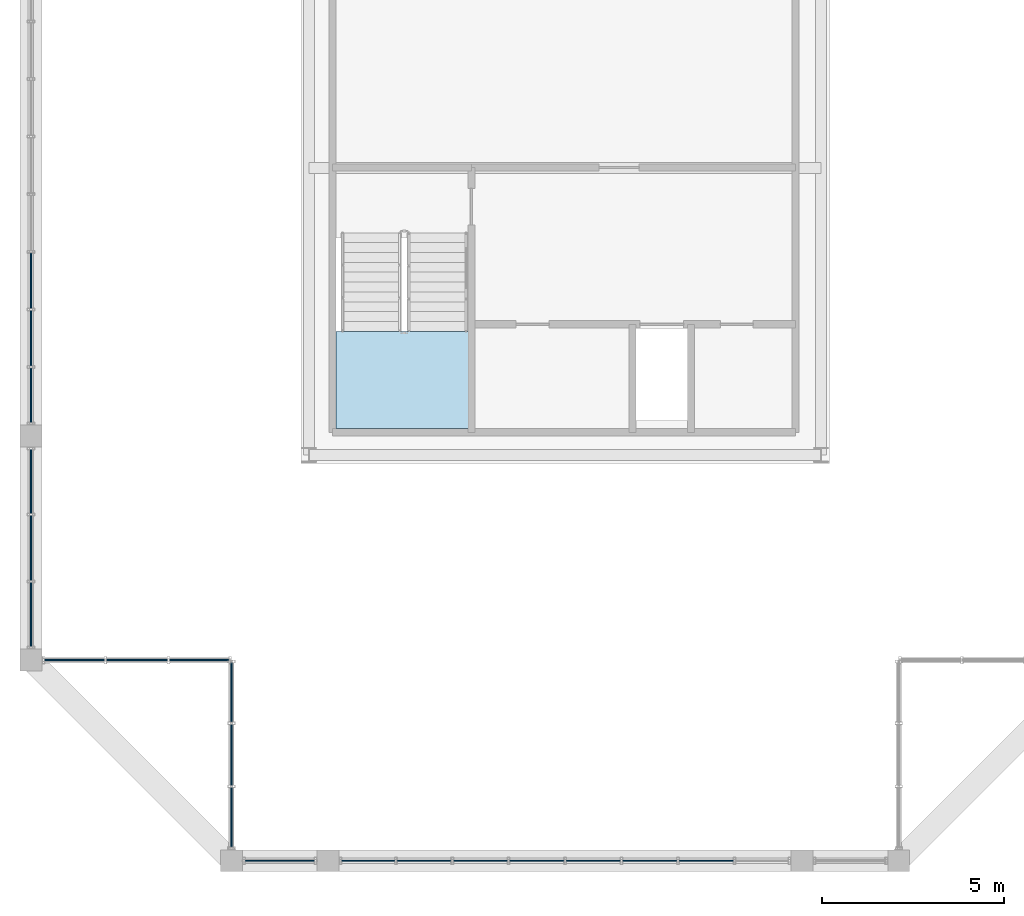
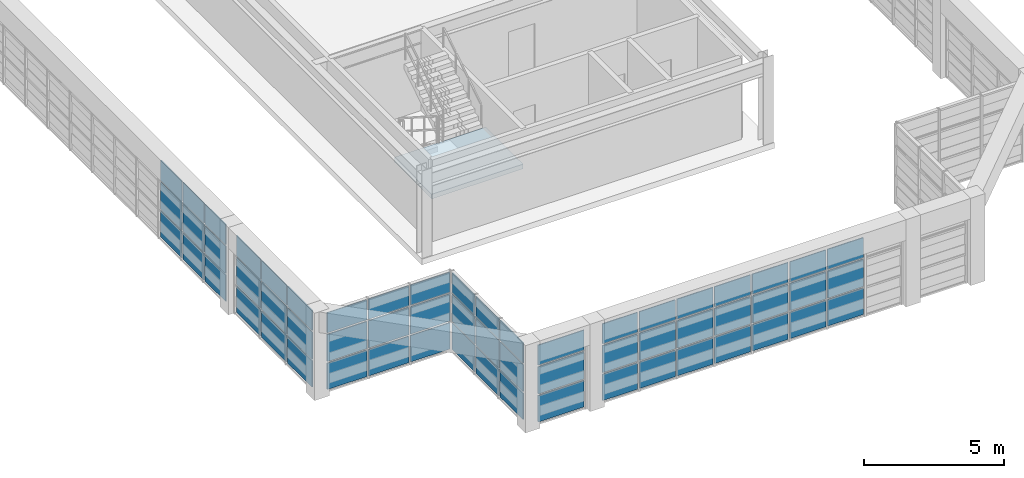
# One storey, part 20 of 27: 60 plates, 1 slab, 7 elements without a shape of their own.
"""IFC4 building model written with IfcOpenShell, lengths in metres."""

import ifcopenshell
import ifcopenshell.guid

model = None  # the IFC model being written
_history = None  # IfcOwnerHistory: only IFC2X3 demands one
_inside = {}  # id of a spatial element -> (the spatial element, [elements in it])
_under = {}  # id of a project, library or spatial element -> (it, [spatial elements below it])
_declared = {}  # id of a project -> (the project, [libraries it declares])
_typed = {}  # id of a type object -> (the type object, [elements of that type])
_made_of = {}  # id of a material, layer set ... -> (it, [elements and type objects made of it])


def new_model(schema):
    """Start an empty IFC model of exactly this schema.

    Asked for "IFC4X3", IfcOpenShell would pick the latest addendum, in which some entities
    have other attributes; the version numbers below select the first issue.
    IFC2X3 requires an IfcOwnerHistory on every rooted entity: one is made here for all.
    """
    global model, _history
    if schema == "IFC4X3":
        model = ifcopenshell.file(schema_version=(4, 3, 0, 0))
    else:
        model = ifcopenshell.file(schema=schema)
    _inside.clear()
    _under.clear()
    _declared.clear()
    _typed.clear()
    _made_of.clear()
    _history = None
    if model.schema == "IFC2X3":
        org = make("IfcOrganization", Name="unknown")
        user = make(
            "IfcPersonAndOrganization",
            ThePerson=make("IfcPerson", FamilyName="unknown"),
            TheOrganization=org,
        )
        app = make(
            "IfcApplication",
            ApplicationDeveloper=org,
            Version="unknown",
            ApplicationFullName="unknown",
            ApplicationIdentifier="unknown",
        )
        _history = make(
            "IfcOwnerHistory",
            OwningUser=user,
            OwningApplication=app,
            ChangeAction="ADDED",
            CreationDate=0,
        )
    return model


def make(cls, **values):
    """One entity of the class cls with the attributes given. An attribute that is None is left unset."""
    return model.create_entity(
        cls, **{name: value for name, value in values.items() if value is not None}
    )


def rooted(cls, **values):
    """An entity with a GlobalId (a new one), such as an element, a storey or a relation."""
    return make(cls, GlobalId=ifcopenshell.guid.new(), OwnerHistory=_history, **values)


def si_unit(unit_type, name, prefix=None):
    """IfcSIUnit, for example si_unit("LENGTHUNIT", "METRE", prefix="MILLI")."""
    return make("IfcSIUnit", UnitType=unit_type, Prefix=prefix, Name=name)


def assignment(units):
    """IfcUnitAssignment: the units of a project."""
    return None if units is None else make("IfcUnitAssignment", Units=units)


def point(xyz):
    """IfcCartesianPoint."""
    return None if xyz is None else make("IfcCartesianPoint", Coordinates=xyz)


def direction(xyz):
    """IfcDirection."""
    return None if xyz is None else make("IfcDirection", DirectionRatios=xyz)


def frame(location, z_axis=None, x_axis=None):
    """IfcAxis2Placement3D, a coordinate frame: its origin and axes. An axis left out is left unset."""
    return make(
        "IfcAxis2Placement3D",
        Location=point(location),
        Axis=direction(z_axis),
        RefDirection=direction(x_axis),
    )


def frame_2d(location, x_axis=None):
    """IfcAxis2Placement2D, a coordinate frame in the plane: its origin and x axis."""
    return make(
        "IfcAxis2Placement2D", Location=point(location), RefDirection=direction(x_axis)
    )


def origin():
    """The frame at (0, 0, 0) with its axes left unset."""
    return frame((0.0, 0.0, 0.0))


def origin_2d():
    """The frame at (0, 0) in the plane with its x axis left unset."""
    return frame_2d((0.0, 0.0))


def place(relative_to, where):
    """IfcLocalPlacement: puts the frame where relative to a parent placement (None: the world)."""
    return make(
        "IfcLocalPlacement", PlacementRelTo=relative_to, RelativePlacement=where
    )


def context(
    kind, dimensions, precision=None, world=None, true_north=None, identifier=None
):
    """IfcGeometricRepresentationContext, for example the 3D "Model" context."""
    return make(
        "IfcGeometricRepresentationContext",
        ContextIdentifier=identifier,
        ContextType=kind,
        CoordinateSpaceDimension=dimensions,
        Precision=precision,
        WorldCoordinateSystem=world,
        TrueNorth=true_north,
    )


def subcontext(parent, identifier, kind, view, scale=None):
    """IfcGeometricRepresentationSubContext, for example "Body" below "Model"."""
    return make(
        "IfcGeometricRepresentationSubContext",
        ContextIdentifier=identifier,
        ContextType=kind,
        ParentContext=parent,
        TargetScale=scale,
        TargetView=view,
    )


def project(units=None, contexts=None):
    """IfcProject with its units and contexts."""
    return rooted(
        "IfcProject",
        Name="project",
        RepresentationContexts=contexts,
        UnitsInContext=assignment(units),
    )


def spatial(cls, under=None, at=None, **own):
    """A site, building, storey or space (cls), placed at a placement, below another one or the project."""
    s = rooted(cls, ObjectPlacement=at, **own)
    if under is not None:
        _under.setdefault(under.id(), (under, []))[1].append(s)
    return s


def polyline(points):
    """IfcPolyline through the points."""
    return make("IfcPolyline", Points=[point(p) for p in points])


def profile(cls, at=None, kind="AREA", **sizes):
    """A parametric profile (cls). Its sizes go by their IFC names, for example OverallWidth=200.0."""
    return make(cls, ProfileType=kind, Position=at, **sizes)


def rectangle(**sizes):
    """IfcRectangleProfileDef."""
    return profile("IfcRectangleProfileDef", **sizes)


def outline(outer, holes=None, kind="AREA"):
    """IfcArbitraryClosedProfileDef: a profile drawn as a closed curve; with holes, ...WithVoids."""
    if holes is None:
        return make("IfcArbitraryClosedProfileDef", ProfileType=kind, OuterCurve=outer)
    return make(
        "IfcArbitraryProfileDefWithVoids",
        ProfileType=kind,
        OuterCurve=outer,
        InnerCurves=holes,
    )


def extrude(swept, where, along, depth):
    """IfcExtrudedAreaSolid: the profile swept, set in the frame where, extruded along a direction by depth."""
    return make(
        "IfcExtrudedAreaSolid",
        SweptArea=swept,
        Position=where,
        ExtrudedDirection=direction(along),
        Depth=depth,
    )


def shape(context_of_items, identifier, shape_type, items):
    """IfcShapeRepresentation: the items that make up one representation, for example the "Body"."""
    return make(
        "IfcShapeRepresentation",
        ContextOfItems=context_of_items,
        RepresentationIdentifier=identifier,
        RepresentationType=shape_type,
        Items=items,
    )


def source(mapping_origin, context_of_items, identifier, shape_type, items):
    """IfcRepresentationMap: a shape defined once, which mapped items show again and again."""
    return make(
        "IfcRepresentationMap",
        MappingOrigin=mapping_origin,
        MappedRepresentation=shape(context_of_items, identifier, shape_type, items),
    )


def transform(
    local_origin,
    x_axis=None,
    y_axis=None,
    z_axis=None,
    scale=None,
    scale2=None,
    scale3=None,
    uniform=True,
):
    """IfcCartesianTransformationOperator3D, or its non-uniform kind. x_axis, y_axis, z_axis: its Axis1, 2, 3."""
    if uniform:
        return make(
            "IfcCartesianTransformationOperator3D",
            Axis1=direction(x_axis),
            Axis2=direction(y_axis),
            LocalOrigin=point(local_origin),
            Scale=scale,
            Axis3=direction(z_axis),
        )
    return make(
        "IfcCartesianTransformationOperator3DnonUniform",
        Axis1=direction(x_axis),
        Axis2=direction(y_axis),
        LocalOrigin=point(local_origin),
        Scale=scale,
        Axis3=direction(z_axis),
        Scale2=scale2,
        Scale3=scale3,
    )


def mapped(mapping_source, mapping_target):
    """IfcMappedItem: shows the shape of a source again, moved by a transform."""
    return make(
        "IfcMappedItem", MappingSource=mapping_source, MappingTarget=mapping_target
    )


def material(Name=None, Category=None):
    """IfcMaterial."""
    return make("IfcMaterial", Name=Name, Category=Category)


def layer(
    of_material, thickness, ventilated=None, Name=None, Category=None, Priority=None
):
    """IfcMaterialLayer: one layer of a wall or slab, of a material (None: an air gap)."""
    return make(
        "IfcMaterialLayer",
        Material=of_material,
        LayerThickness=thickness,
        IsVentilated=ventilated,
        Name=Name,
        Category=Category,
        Priority=Priority,
    )


def layer_set(layers, Name=None):
    """IfcMaterialLayerSet."""
    return make("IfcMaterialLayerSet", MaterialLayers=layers, LayerSetName=Name)


def made_of(thing, what):
    """Note that an element or type object is made of a material, layer set ...; save() writes the relation."""
    if what is not None:
        _made_of.setdefault(what.id(), (what, []))[1].append(thing)
    return thing


def type_object(cls, material=None, **own):
    """A type object (cls), such as IfcWallType, which elements share."""
    return made_of(rooted(cls, **own), material)


def element(
    cls,
    number,
    at=None,
    inside=None,
    cuts=None,
    type_object=None,
    material=None,
    context=None,
    identifier="Body",
    shape_type=None,
    held_by="IfcProductDefinitionShape",
    body=None,
    shapes=None,
    **own,
):
    """One element of the class cls, such as IfcWall. Its Tag is "e" and its number.

    at: its placement. inside: the storey or other place that contains it. cuts: it is an
    opening in that element (IfcRelVoidsElement). A single representation is given by context,
    identifier, shape_type and body (its items); several are given by shapes. held_by: the class
    of the entity that holds the representations. save() writes the other relations.
    """
    e = rooted(cls, Tag="e%d" % number, ObjectPlacement=at, **own)
    if body is not None:
        shapes = [shape(context, identifier, shape_type, body)]
    if shapes is not None:
        e.Representation = make(held_by, Representations=shapes)
    if inside is not None:
        _inside.setdefault(inside.id(), (inside, []))[1].append(e)
    if cuts is not None:
        rooted(
            "IfcRelVoidsElement", RelatingBuildingElement=cuts, RelatedOpeningElement=e
        )
    if type_object is not None:
        _typed.setdefault(type_object.id(), (type_object, []))[1].append(e)
    return made_of(e, material)


def aggregate(whole, parts):
    """IfcRelAggregates: a whole, such as a stair, and the parts it consists of."""
    return rooted("IfcRelAggregates", RelatingObject=whole, RelatedObjects=parts)


def save(model, path):
    """Write the relations noted so far, then the file.

    IfcRelAggregates (storeys below a building ...), IfcRelContainedInSpatialStructure (elements
    in a storey), IfcRelDefinesByType, IfcRelAssociatesMaterial and IfcRelDeclares: one each for
    every whole, place, type object, material and project.
    """
    for whole, parts in _under.values():
        aggregate(whole, parts)
    for where, things in _inside.values():
        rooted(
            "IfcRelContainedInSpatialStructure",
            RelatedElements=things,
            RelatingStructure=where,
        )
    for kind, things in _typed.values():
        rooted("IfcRelDefinesByType", RelatedObjects=things, RelatingType=kind)
    for what, things in _made_of.values():
        rooted("IfcRelAssociatesMaterial", RelatedObjects=things, RelatingMaterial=what)
    for by, libraries in _declared.values():
        rooted("IfcRelDeclares", RelatingContext=by, RelatedDefinitions=libraries)
    model.write(path)


model = new_model("IFC4")

# Units and contexts
model_context = context("Model", 3, precision=1e-05, world=origin(), true_north=direction((0.0, 1.0)))
body_context = subcontext(model_context, "Body", "Model", "MODEL_VIEW")
ifc_project = project(units=[si_unit("LENGTHUNIT", "METRE"), si_unit("AREAUNIT", "SQUARE_METRE"), si_unit("VOLUMEUNIT", "CUBIC_METRE"), si_unit("PLANEANGLEUNIT", "RADIAN"), si_unit("MASSUNIT", "GRAM", prefix="KILO")], contexts=[model_context])

# Site, building, storey
site_placement = place(None, origin())
site = spatial("IfcSite", under=ifc_project, at=site_placement, CompositionType="ELEMENT")
building_placement = place(site_placement, origin())
building = spatial("IfcBuilding", under=site, at=building_placement, Name="Saelheon Loggia Tower", CompositionType="ELEMENT")
storey_placement = place(building_placement, frame((0.0, 0.0, 263.60009765625)))
storey = spatial("IfcBuildingStorey", under=building, at=storey_placement, Name="CR4", CompositionType="ELEMENT", Elevation=263.60009765625)

# Stair, slab
ifc_material_1 = material(Name="Concrete C40/50", Category="concrete")
stair_type = type_object("IfcStairType", Name="Stair_Plant_Crown", PredefinedType="HALF_TURN_STAIR", material=ifc_material_1)
stair_placement = place(storey_placement, origin())
stair = element("IfcStair", 1, at=stair_placement, inside=storey, type_object=stair_type, Name="CR4 Crown Plant Stair ST5", PredefinedType="HALF_TURN_STAIR")
ifc_layer_1 = layer(ifc_material_1, 0.199951171875)
ifc_layer_set_1 = layer_set([ifc_layer_1], Name="Concrete C40/50")
slab_type = type_object("IfcSlabType", Name="Slab_StairLanding_ST5", PredefinedType="LANDING", material=ifc_layer_set_1)
slab_placement = place(storey_placement, frame((0.0, 0.0, 1.699951171875)))
slab = element("IfcSlab", 2, at=slab_placement, type_object=slab_type, Name="ST5 landing 1", PredefinedType="LANDING", context=body_context, shape_type="SweptSolid", body=[
    extrude(outline(polyline([(31.7099609375, 20.8701171875), (31.7099609375, 18.2099609375), (35.469970703125, 18.2099609375), (35.469970703125, 20.8701171875), (31.7099609375, 20.8701171875)])), origin(), (0.0, 0.0, 1.0), 0.199951171875),
])
aggregate(stair, [slab])

# Curtain wall, plates
ifc_material_2 = material(Name="Bronze-Anodised Aluminium and Fritted Ceramic Screen", Category="aluminium")
ifc_layer_2 = layer(ifc_material_2, 0.219970703125)
ifc_layer_set_2 = layer_set([ifc_layer_2], Name="Bronze-Anodised Aluminium and Fritted Ceramic Screen")
curtain_wall_type = type_object("IfcCurtainWallType", Name="CW_CrownScreen", PredefinedType="NOTDEFINED", material=ifc_layer_set_2)
curtain_wall_1_placement = place(storey_placement, origin())
curtain_wall_1 = element("IfcCurtainWall", 3, at=curtain_wall_1_placement, inside=storey, type_object=curtain_wall_type, Name="CR4 Crown Screen Curtain Wall 0-1", PredefinedType="NOTDEFINED")
ifc_material_3 = material(Name="Bronze Ceramic Fritted Spandrel Panel", Category="aluminium")
ifc_layer_3 = layer(ifc_material_3, 0.0380859375)
ifc_layer_set_3 = layer_set([ifc_layer_3], Name="Bronze Ceramic Fritted Spandrel Panel")
plate_type = type_object("IfcPlateType", Name="CW_CrownScreen_Panel", PredefinedType="CURTAIN_PANEL", material=ifc_layer_set_3)
shared_shape_1 = source(origin(), body_context, "Body", "SweptSolid", [
    extrude(rectangle(XDim=1.889892578125, YDim=0.0380859375, at=origin_2d()), origin(), (0.0, 0.0, 1.0), 1.14501953125),
])
plate_1_placement = place(storey_placement, frame((30.175048828125, 6.35009765625, 0.06982421875), z_axis=(0.0, 0.0, 1.0), x_axis=(1.0, 0.0, 0.0)))
plate_1 = element("IfcPlate", 4, at=plate_1_placement, type_object=plate_type, Name="CW6 panel 1.1", PredefinedType="CURTAIN_PANEL", context=body_context, shape_type="MappedRepresentation", body=[
    mapped(shared_shape_1, transform((0.0, 0.0, 0.0), scale=1.0)),
])
shared_shape_2 = source(origin(), body_context, "Body", "SweptSolid", [
    extrude(rectangle(XDim=1.889892578125, YDim=0.0380859375, at=origin_2d()), origin(), (0.0, 0.0, 1.0), 1.179931640625),
])
plate_2_placement = place(storey_placement, frame((30.175048828125, 6.35009765625, 1.28515625), z_axis=(0.0, 0.0, 1.0), x_axis=(1.0, 0.0, 0.0)))
plate_2 = element("IfcPlate", 5, at=plate_2_placement, type_object=plate_type, Name="CW6 panel 1.2", PredefinedType="CURTAIN_PANEL", context=body_context, shape_type="MappedRepresentation", body=[
    mapped(shared_shape_2, transform((0.0, 0.0, 0.0), scale=1.0)),
])
shared_shape_3 = source(origin(), body_context, "Body", "SweptSolid", [
    extrude(rectangle(XDim=1.889892578125, YDim=0.0380859375, at=origin_2d()), origin(), (0.0, 0.0, 1.0), 0.875),
])
plate_3_placement = place(storey_placement, frame((30.175048828125, 6.35009765625, 2.534912109375), z_axis=(0.0, 0.0, 1.0), x_axis=(1.0, 0.0, 0.0)))
plate_3 = element("IfcPlate", 6, at=plate_3_placement, type_object=plate_type, Name="CW6 panel 1.3", PredefinedType="CURTAIN_PANEL", context=body_context, shape_type="MappedRepresentation", body=[
    mapped(shared_shape_3, transform((0.0, 0.0, 0.0), scale=1.0)),
])
aggregate(curtain_wall_1, [plate_1, plate_2, plate_3])

curtain_wall_2_placement = place(storey_placement, origin())
curtain_wall_2 = element("IfcCurtainWall", 7, at=curtain_wall_2_placement, inside=storey, type_object=curtain_wall_type, Name="CR4 Crown Screen Curtain Wall 0-2", PredefinedType="NOTDEFINED")
shared_shape_4 = source(origin(), body_context, "Body", "SweptSolid", [
    extrude(rectangle(XDim=1.4423828125, YDim=0.0380859375, at=origin_2d()), origin(), (0.0, 0.0, 1.0), 1.14501953125),
])
plate_4_placement = place(storey_placement, frame((32.601318359375, 6.35009765625, 0.06982421875), z_axis=(0.0, 0.0, 1.0), x_axis=(1.0, 0.0, 0.0)))
plate_4 = element("IfcPlate", 8, at=plate_4_placement, type_object=plate_type, Name="CW6 panel 1.1", PredefinedType="CURTAIN_PANEL", context=body_context, shape_type="MappedRepresentation", body=[
    mapped(shared_shape_4, transform((0.0, 0.0, 0.0), scale=1.0)),
])
shared_shape_5 = source(origin(), body_context, "Body", "SweptSolid", [
    extrude(rectangle(XDim=1.4423828125, YDim=0.0380859375, at=origin_2d()), origin(), (0.0, 0.0, 1.0), 1.179931640625),
])
plate_5_placement = place(storey_placement, frame((32.601318359375, 6.35009765625, 1.28515625), z_axis=(0.0, 0.0, 1.0), x_axis=(1.0, 0.0, 0.0)))
plate_5 = element("IfcPlate", 9, at=plate_5_placement, type_object=plate_type, Name="CW6 panel 1.2", PredefinedType="CURTAIN_PANEL", context=body_context, shape_type="MappedRepresentation", body=[
    mapped(shared_shape_5, transform((0.0, 0.0, 0.0), scale=1.0)),
])
shared_shape_6 = source(origin(), body_context, "Body", "SweptSolid", [
    extrude(rectangle(XDim=1.4423828125, YDim=0.0380859375, at=origin_2d()), origin(), (0.0, 0.0, 1.0), 0.875),
])
plate_6_placement = place(storey_placement, frame((32.601318359375, 6.35009765625, 2.534912109375), z_axis=(0.0, 0.0, 1.0), x_axis=(1.0, 0.0, 0.0)))
plate_6 = element("IfcPlate", 10, at=plate_6_placement, type_object=plate_type, Name="CW6 panel 1.3", PredefinedType="CURTAIN_PANEL", context=body_context, shape_type="MappedRepresentation", body=[
    mapped(shared_shape_6, transform((0.0, 0.0, 0.0), scale=1.0)),
])
shared_shape_7 = source(origin(), body_context, "Body", "SweptSolid", [
    extrude(rectangle(XDim=1.4775390625, YDim=0.0380859375, at=origin_2d()), origin(), (0.0, 0.0, 1.0), 1.14501953125),
])
plate_7_placement = place(storey_placement, frame((34.13134765625, 6.35009765625, 0.06982421875), z_axis=(0.0, 0.0, 1.0), x_axis=(1.0, 0.0, 0.0)))
plate_7 = element("IfcPlate", 11, at=plate_7_placement, type_object=plate_type, Name="CW6 panel 2.1", PredefinedType="CURTAIN_PANEL", context=body_context, shape_type="MappedRepresentation", body=[
    mapped(shared_shape_7, transform((0.0, 0.0, 0.0), scale=1.0)),
])
plate_8_placement = place(storey_placement, frame((35.6787109375, 6.35009765625, 0.06982421875), z_axis=(0.0, 0.0, 1.0), x_axis=(1.0, 0.0, 0.0)))
plate_8 = element("IfcPlate", 12, at=plate_8_placement, type_object=plate_type, Name="CW6 panel 3.1", PredefinedType="CURTAIN_PANEL", context=body_context, shape_type="MappedRepresentation", body=[
    mapped(shared_shape_7, transform((0.0, 0.0, 0.0), scale=1.0)),
])
plate_9_placement = place(storey_placement, frame((37.226318359375, 6.35009765625, 0.06982421875), z_axis=(0.0, 0.0, 1.0), x_axis=(1.0, 0.0, 0.0)))
plate_9 = element("IfcPlate", 13, at=plate_9_placement, type_object=plate_type, Name="CW6 panel 4.1", PredefinedType="CURTAIN_PANEL", context=body_context, shape_type="MappedRepresentation", body=[
    mapped(shared_shape_7, transform((0.0, 0.0, 0.0), scale=1.0)),
])
plate_10_placement = place(storey_placement, frame((38.773681640625, 6.35009765625, 0.06982421875), z_axis=(0.0, 0.0, 1.0), x_axis=(1.0, 0.0, 0.0)))
plate_10 = element("IfcPlate", 14, at=plate_10_placement, type_object=plate_type, Name="CW6 panel 5.1", PredefinedType="CURTAIN_PANEL", context=body_context, shape_type="MappedRepresentation", body=[
    mapped(shared_shape_7, transform((0.0, 0.0, 0.0), scale=1.0)),
])
plate_11_placement = place(storey_placement, frame((40.3212890625, 6.35009765625, 0.06982421875), z_axis=(0.0, 0.0, 1.0), x_axis=(1.0, 0.0, 0.0)))
plate_11 = element("IfcPlate", 15, at=plate_11_placement, type_object=plate_type, Name="CW6 panel 6.1", PredefinedType="CURTAIN_PANEL", context=body_context, shape_type="MappedRepresentation", body=[
    mapped(shared_shape_7, transform((0.0, 0.0, 0.0), scale=1.0)),
])
plate_12_placement = place(storey_placement, frame((41.86865234375, 6.35009765625, 0.06982421875), z_axis=(0.0, 0.0, 1.0), x_axis=(1.0, 0.0, 0.0)))
plate_12 = element("IfcPlate", 16, at=plate_12_placement, type_object=plate_type, Name="CW6 panel 7.1", PredefinedType="CURTAIN_PANEL", context=body_context, shape_type="MappedRepresentation", body=[
    mapped(shared_shape_7, transform((0.0, 0.0, 0.0), scale=1.0)),
])
shared_shape_8 = source(origin(), body_context, "Body", "SweptSolid", [
    extrude(rectangle(XDim=1.4775390625, YDim=0.0380859375, at=origin_2d()), origin(), (0.0, 0.0, 1.0), 1.179931640625),
])
plate_13_placement = place(storey_placement, frame((34.13134765625, 6.35009765625, 1.28515625), z_axis=(0.0, 0.0, 1.0), x_axis=(1.0, 0.0, 0.0)))
plate_13 = element("IfcPlate", 17, at=plate_13_placement, type_object=plate_type, Name="CW6 panel 2.2", PredefinedType="CURTAIN_PANEL", context=body_context, shape_type="MappedRepresentation", body=[
    mapped(shared_shape_8, transform((0.0, 0.0, 0.0), scale=1.0)),
])
plate_14_placement = place(storey_placement, frame((35.6787109375, 6.35009765625, 1.28515625), z_axis=(0.0, 0.0, 1.0), x_axis=(1.0, 0.0, 0.0)))
plate_14 = element("IfcPlate", 18, at=plate_14_placement, type_object=plate_type, Name="CW6 panel 3.2", PredefinedType="CURTAIN_PANEL", context=body_context, shape_type="MappedRepresentation", body=[
    mapped(shared_shape_8, transform((0.0, 0.0, 0.0), scale=1.0)),
])
plate_15_placement = place(storey_placement, frame((37.226318359375, 6.35009765625, 1.28515625), z_axis=(0.0, 0.0, 1.0), x_axis=(1.0, 0.0, 0.0)))
plate_15 = element("IfcPlate", 19, at=plate_15_placement, type_object=plate_type, Name="CW6 panel 4.2", PredefinedType="CURTAIN_PANEL", context=body_context, shape_type="MappedRepresentation", body=[
    mapped(shared_shape_8, transform((0.0, 0.0, 0.0), scale=1.0)),
])
plate_16_placement = place(storey_placement, frame((38.773681640625, 6.35009765625, 1.28515625), z_axis=(0.0, 0.0, 1.0), x_axis=(1.0, 0.0, 0.0)))
plate_16 = element("IfcPlate", 20, at=plate_16_placement, type_object=plate_type, Name="CW6 panel 5.2", PredefinedType="CURTAIN_PANEL", context=body_context, shape_type="MappedRepresentation", body=[
    mapped(shared_shape_8, transform((0.0, 0.0, 0.0), scale=1.0)),
])
plate_17_placement = place(storey_placement, frame((40.3212890625, 6.35009765625, 1.28515625), z_axis=(0.0, 0.0, 1.0), x_axis=(1.0, 0.0, 0.0)))
plate_17 = element("IfcPlate", 21, at=plate_17_placement, type_object=plate_type, Name="CW6 panel 6.2", PredefinedType="CURTAIN_PANEL", context=body_context, shape_type="MappedRepresentation", body=[
    mapped(shared_shape_8, transform((0.0, 0.0, 0.0), scale=1.0)),
])
plate_18_placement = place(storey_placement, frame((41.86865234375, 6.35009765625, 1.28515625), z_axis=(0.0, 0.0, 1.0), x_axis=(1.0, 0.0, 0.0)))
plate_18 = element("IfcPlate", 22, at=plate_18_placement, type_object=plate_type, Name="CW6 panel 7.2", PredefinedType="CURTAIN_PANEL", context=body_context, shape_type="MappedRepresentation", body=[
    mapped(shared_shape_8, transform((0.0, 0.0, 0.0), scale=1.0)),
])
shared_shape_9 = source(origin(), body_context, "Body", "SweptSolid", [
    extrude(rectangle(XDim=1.4775390625, YDim=0.0380859375, at=origin_2d()), origin(), (0.0, 0.0, 1.0), 0.875),
])
plate_19_placement = place(storey_placement, frame((34.13134765625, 6.35009765625, 2.534912109375), z_axis=(0.0, 0.0, 1.0), x_axis=(1.0, 0.0, 0.0)))
plate_19 = element("IfcPlate", 23, at=plate_19_placement, type_object=plate_type, Name="CW6 panel 2.3", PredefinedType="CURTAIN_PANEL", context=body_context, shape_type="MappedRepresentation", body=[
    mapped(shared_shape_9, transform((0.0, 0.0, 0.0), scale=1.0)),
])
plate_20_placement = place(storey_placement, frame((35.6787109375, 6.35009765625, 2.534912109375), z_axis=(0.0, 0.0, 1.0), x_axis=(1.0, 0.0, 0.0)))
plate_20 = element("IfcPlate", 24, at=plate_20_placement, type_object=plate_type, Name="CW6 panel 3.3", PredefinedType="CURTAIN_PANEL", context=body_context, shape_type="MappedRepresentation", body=[
    mapped(shared_shape_9, transform((0.0, 0.0, 0.0), scale=1.0)),
])
plate_21_placement = place(storey_placement, frame((37.226318359375, 6.35009765625, 2.534912109375), z_axis=(0.0, 0.0, 1.0), x_axis=(1.0, 0.0, 0.0)))
plate_21 = element("IfcPlate", 25, at=plate_21_placement, type_object=plate_type, Name="CW6 panel 4.3", PredefinedType="CURTAIN_PANEL", context=body_context, shape_type="MappedRepresentation", body=[
    mapped(shared_shape_9, transform((0.0, 0.0, 0.0), scale=1.0)),
])
plate_22_placement = place(storey_placement, frame((38.773681640625, 6.35009765625, 2.534912109375), z_axis=(0.0, 0.0, 1.0), x_axis=(1.0, 0.0, 0.0)))
plate_22 = element("IfcPlate", 26, at=plate_22_placement, type_object=plate_type, Name="CW6 panel 5.3", PredefinedType="CURTAIN_PANEL", context=body_context, shape_type="MappedRepresentation", body=[
    mapped(shared_shape_9, transform((0.0, 0.0, 0.0), scale=1.0)),
])
plate_23_placement = place(storey_placement, frame((40.3212890625, 6.35009765625, 2.534912109375), z_axis=(0.0, 0.0, 1.0), x_axis=(1.0, 0.0, 0.0)))
plate_23 = element("IfcPlate", 27, at=plate_23_placement, type_object=plate_type, Name="CW6 panel 6.3", PredefinedType="CURTAIN_PANEL", context=body_context, shape_type="MappedRepresentation", body=[
    mapped(shared_shape_9, transform((0.0, 0.0, 0.0), scale=1.0)),
])
plate_24_placement = place(storey_placement, frame((41.86865234375, 6.35009765625, 2.534912109375), z_axis=(0.0, 0.0, 1.0), x_axis=(1.0, 0.0, 0.0)))
plate_24 = element("IfcPlate", 28, at=plate_24_placement, type_object=plate_type, Name="CW6 panel 7.3", PredefinedType="CURTAIN_PANEL", context=body_context, shape_type="MappedRepresentation", body=[
    mapped(shared_shape_9, transform((0.0, 0.0, 0.0), scale=1.0)),
])
aggregate(curtain_wall_2, [plate_4, plate_5, plate_6, plate_7, plate_13, plate_19, plate_8, plate_14, plate_20, plate_9, plate_15, plate_21, plate_10, plate_16, plate_22, plate_11, plate_17, plate_23, plate_12, plate_18, plate_24])

curtain_wall_3_placement = place(storey_placement, origin())
curtain_wall_3 = element("IfcCurtainWall", 29, at=curtain_wall_3_placement, inside=storey, type_object=curtain_wall_type, Name="CR4 Crown Screen Curtain Wall 10-1", PredefinedType="NOTDEFINED")
shared_shape_10 = source(origin(), body_context, "Body", "SweptSolid", [
    extrude(rectangle(XDim=1.625, YDim=0.0380859375, at=origin_2d()), origin(), (0.0, 0.0, 1.0), 1.14501953125),
])
plate_25_placement = place(storey_placement, frame((24.54248046875, 11.85009765625, 0.06982421875), z_axis=(0.0, 0.0, 1.0), x_axis=(1.0, 0.0, 0.0)))
plate_25 = element("IfcPlate", 30, at=plate_25_placement, type_object=plate_type, Name="CW6 panel 1.1", PredefinedType="CURTAIN_PANEL", context=body_context, shape_type="MappedRepresentation", body=[
    mapped(shared_shape_10, transform((0.0, 0.0, 0.0), scale=1.0)),
])
plate_26_placement = place(storey_placement, frame((27.967529296875, 11.85009765625, 0.06982421875), z_axis=(0.0, 0.0, 1.0), x_axis=(1.0, 0.0, 0.0)))
plate_26 = element("IfcPlate", 31, at=plate_26_placement, type_object=plate_type, Name="CW6 panel 3.1", PredefinedType="CURTAIN_PANEL", context=body_context, shape_type="MappedRepresentation", body=[
    mapped(shared_shape_10, transform((0.0, 0.0, 0.0), scale=1.0)),
])

curtain_wall_4_placement = place(storey_placement, origin())
curtain_wall_4 = element("IfcCurtainWall", 32, at=curtain_wall_4_placement, inside=storey, type_object=curtain_wall_type, Name="CR4 Crown Screen Curtain Wall 11-1", PredefinedType="NOTDEFINED")
plate_27_placement = place(storey_placement, frame((28.85009765625, 10.967529296875, 0.06982421875), z_axis=(0.0, 0.0, 1.0), x_axis=(0.0, -1.0, 0.0)))
plate_27 = element("IfcPlate", 33, at=plate_27_placement, type_object=plate_type, Name="CW6 panel 1.1", PredefinedType="CURTAIN_PANEL", context=body_context, shape_type="MappedRepresentation", body=[
    mapped(shared_shape_10, transform((0.0, 0.0, 0.0), scale=1.0)),
])
plate_28_placement = place(storey_placement, frame((28.85009765625, 7.54248046875, 0.06982421875), z_axis=(0.0, 0.0, 1.0), x_axis=(0.0, -1.0, 0.0)))
plate_28 = element("IfcPlate", 34, at=plate_28_placement, type_object=plate_type, Name="CW6 panel 3.1", PredefinedType="CURTAIN_PANEL", context=body_context, shape_type="MappedRepresentation", body=[
    mapped(shared_shape_10, transform((0.0, 0.0, 0.0), scale=1.0)),
])

# Plate
shared_shape_11 = source(origin(), body_context, "Body", "SweptSolid", [
    extrude(rectangle(XDim=1.625, YDim=0.0380859375, at=origin_2d()), origin(), (0.0, 0.0, 1.0), 1.179931640625),
])
plate_29_placement = place(storey_placement, frame((24.54248046875, 11.85009765625, 1.28515625), z_axis=(0.0, 0.0, 1.0), x_axis=(1.0, 0.0, 0.0)))
plate_29 = element("IfcPlate", 35, at=plate_29_placement, type_object=plate_type, Name="CW6 panel 1.2", PredefinedType="CURTAIN_PANEL", context=body_context, shape_type="MappedRepresentation", body=[
    mapped(shared_shape_11, transform((0.0, 0.0, 0.0), scale=1.0)),
])

plate_30_placement = place(storey_placement, frame((27.967529296875, 11.85009765625, 1.28515625), z_axis=(0.0, 0.0, 1.0), x_axis=(1.0, 0.0, 0.0)))
plate_30 = element("IfcPlate", 36, at=plate_30_placement, type_object=plate_type, Name="CW6 panel 3.2", PredefinedType="CURTAIN_PANEL", context=body_context, shape_type="MappedRepresentation", body=[
    mapped(shared_shape_11, transform((0.0, 0.0, 0.0), scale=1.0)),
])

plate_31_placement = place(storey_placement, frame((28.85009765625, 10.967529296875, 1.28515625), z_axis=(0.0, 0.0, 1.0), x_axis=(0.0, -1.0, 0.0)))
plate_31 = element("IfcPlate", 37, at=plate_31_placement, type_object=plate_type, Name="CW6 panel 1.2", PredefinedType="CURTAIN_PANEL", context=body_context, shape_type="MappedRepresentation", body=[
    mapped(shared_shape_11, transform((0.0, 0.0, 0.0), scale=1.0)),
])

plate_32_placement = place(storey_placement, frame((28.85009765625, 7.54248046875, 1.28515625), z_axis=(0.0, 0.0, 1.0), x_axis=(0.0, -1.0, 0.0)))
plate_32 = element("IfcPlate", 38, at=plate_32_placement, type_object=plate_type, Name="CW6 panel 3.2", PredefinedType="CURTAIN_PANEL", context=body_context, shape_type="MappedRepresentation", body=[
    mapped(shared_shape_11, transform((0.0, 0.0, 0.0), scale=1.0)),
])

shared_shape_12 = source(origin(), body_context, "Body", "SweptSolid", [
    extrude(rectangle(XDim=1.625, YDim=0.0380859375, at=origin_2d()), origin(), (0.0, 0.0, 1.0), 0.875),
])
plate_33_placement = place(storey_placement, frame((24.54248046875, 11.85009765625, 2.534912109375), z_axis=(0.0, 0.0, 1.0), x_axis=(1.0, 0.0, 0.0)))
plate_33 = element("IfcPlate", 39, at=plate_33_placement, type_object=plate_type, Name="CW6 panel 1.3", PredefinedType="CURTAIN_PANEL", context=body_context, shape_type="MappedRepresentation", body=[
    mapped(shared_shape_12, transform((0.0, 0.0, 0.0), scale=1.0)),
])

plate_34_placement = place(storey_placement, frame((27.967529296875, 11.85009765625, 2.534912109375), z_axis=(0.0, 0.0, 1.0), x_axis=(1.0, 0.0, 0.0)))
plate_34 = element("IfcPlate", 40, at=plate_34_placement, type_object=plate_type, Name="CW6 panel 3.3", PredefinedType="CURTAIN_PANEL", context=body_context, shape_type="MappedRepresentation", body=[
    mapped(shared_shape_12, transform((0.0, 0.0, 0.0), scale=1.0)),
])

plate_35_placement = place(storey_placement, frame((28.85009765625, 10.967529296875, 2.534912109375), z_axis=(0.0, 0.0, 1.0), x_axis=(0.0, -1.0, 0.0)))
plate_35 = element("IfcPlate", 41, at=plate_35_placement, type_object=plate_type, Name="CW6 panel 1.3", PredefinedType="CURTAIN_PANEL", context=body_context, shape_type="MappedRepresentation", body=[
    mapped(shared_shape_12, transform((0.0, 0.0, 0.0), scale=1.0)),
])

plate_36_placement = place(storey_placement, frame((28.85009765625, 7.54248046875, 2.534912109375), z_axis=(0.0, 0.0, 1.0), x_axis=(0.0, -1.0, 0.0)))
plate_36 = element("IfcPlate", 42, at=plate_36_placement, type_object=plate_type, Name="CW6 panel 3.3", PredefinedType="CURTAIN_PANEL", context=body_context, shape_type="MappedRepresentation", body=[
    mapped(shared_shape_12, transform((0.0, 0.0, 0.0), scale=1.0)),
])

shared_shape_13 = source(origin(), body_context, "Body", "SweptSolid", [
    extrude(rectangle(XDim=1.659912109375, YDim=0.0380859375, at=origin_2d()), origin(), (0.0, 0.0, 1.0), 1.14501953125),
])
plate_37_placement = place(storey_placement, frame((26.2548828125, 11.85009765625, 0.06982421875), z_axis=(0.0, 0.0, 1.0), x_axis=(1.0, 0.0, 0.0)))
plate_37 = element("IfcPlate", 43, at=plate_37_placement, type_object=plate_type, Name="CW6 panel 2.1", PredefinedType="CURTAIN_PANEL", context=body_context, shape_type="MappedRepresentation", body=[
    mapped(shared_shape_13, transform((0.0, 0.0, 0.0), scale=1.0)),
])

plate_38_placement = place(storey_placement, frame((28.85009765625, 9.2548828125, 0.06982421875), z_axis=(0.0, 0.0, 1.0), x_axis=(0.0, -1.0, 0.0)))
plate_38 = element("IfcPlate", 44, at=plate_38_placement, type_object=plate_type, Name="CW6 panel 2.1", PredefinedType="CURTAIN_PANEL", context=body_context, shape_type="MappedRepresentation", body=[
    mapped(shared_shape_13, transform((0.0, 0.0, 0.0), scale=1.0)),
])

shared_shape_14 = source(origin(), body_context, "Body", "SweptSolid", [
    extrude(rectangle(XDim=1.659912109375, YDim=0.0380859375, at=origin_2d()), origin(), (0.0, 0.0, 1.0), 1.179931640625),
])
plate_39_placement = place(storey_placement, frame((26.2548828125, 11.85009765625, 1.28515625), z_axis=(0.0, 0.0, 1.0), x_axis=(1.0, 0.0, 0.0)))
plate_39 = element("IfcPlate", 45, at=plate_39_placement, type_object=plate_type, Name="CW6 panel 2.2", PredefinedType="CURTAIN_PANEL", context=body_context, shape_type="MappedRepresentation", body=[
    mapped(shared_shape_14, transform((0.0, 0.0, 0.0), scale=1.0)),
])

plate_40_placement = place(storey_placement, frame((28.85009765625, 9.2548828125, 1.28515625), z_axis=(0.0, 0.0, 1.0), x_axis=(0.0, -1.0, 0.0)))
plate_40 = element("IfcPlate", 46, at=plate_40_placement, type_object=plate_type, Name="CW6 panel 2.2", PredefinedType="CURTAIN_PANEL", context=body_context, shape_type="MappedRepresentation", body=[
    mapped(shared_shape_14, transform((0.0, 0.0, 0.0), scale=1.0)),
])

shared_shape_15 = source(origin(), body_context, "Body", "SweptSolid", [
    extrude(rectangle(XDim=1.659912109375, YDim=0.0380859375, at=origin_2d()), origin(), (0.0, 0.0, 1.0), 0.875),
])
plate_41_placement = place(storey_placement, frame((26.2548828125, 11.85009765625, 2.534912109375), z_axis=(0.0, 0.0, 1.0), x_axis=(1.0, 0.0, 0.0)))
plate_41 = element("IfcPlate", 47, at=plate_41_placement, type_object=plate_type, Name="CW6 panel 2.3", PredefinedType="CURTAIN_PANEL", context=body_context, shape_type="MappedRepresentation", body=[
    mapped(shared_shape_15, transform((0.0, 0.0, 0.0), scale=1.0)),
])

aggregate(curtain_wall_3, [plate_25, plate_29, plate_33, plate_37, plate_39, plate_41, plate_26, plate_30, plate_34])

plate_42_placement = place(storey_placement, frame((28.85009765625, 9.2548828125, 2.534912109375), z_axis=(0.0, 0.0, 1.0), x_axis=(0.0, -1.0, 0.0)))
plate_42 = element("IfcPlate", 48, at=plate_42_placement, type_object=plate_type, Name="CW6 panel 2.3", PredefinedType="CURTAIN_PANEL", context=body_context, shape_type="MappedRepresentation", body=[
    mapped(shared_shape_15, transform((0.0, 0.0, 0.0), scale=1.0)),
])

aggregate(curtain_wall_4, [plate_27, plate_31, plate_35, plate_38, plate_40, plate_42, plate_28, plate_32, plate_36])

# Curtain wall, plates
curtain_wall_5_placement = place(storey_placement, origin())
curtain_wall_5 = element("IfcCurtainWall", 49, at=curtain_wall_5_placement, inside=storey, type_object=curtain_wall_type, Name="CR4 Crown Screen Curtain Wall 9-3", PredefinedType="NOTDEFINED")
shared_shape_16 = source(origin(), body_context, "Body", "SweptSolid", [
    extrude(rectangle(XDim=1.73828125, YDim=0.0380859375, at=origin_2d()), origin(), (0.0, 0.0, 1.0), 1.14501953125),
])
plate_43_placement = place(storey_placement, frame((23.35009765625, 16.750732421875, 0.06982421875), z_axis=(0.0, 0.0, 1.0), x_axis=(0.0, -1.0, 0.0)))
plate_43 = element("IfcPlate", 50, at=plate_43_placement, type_object=plate_type, Name="CW6 panel 1.1", PredefinedType="CURTAIN_PANEL", context=body_context, shape_type="MappedRepresentation", body=[
    mapped(shared_shape_16, transform((0.0, 0.0, 0.0), scale=1.0)),
])
plate_44_placement = place(storey_placement, frame((23.35009765625, 13.09912109375, 0.06982421875), z_axis=(0.0, 0.0, 1.0), x_axis=(0.0, -1.0, 0.0)))
plate_44 = element("IfcPlate", 51, at=plate_44_placement, type_object=plate_type, Name="CW6 panel 3.1", PredefinedType="CURTAIN_PANEL", context=body_context, shape_type="MappedRepresentation", body=[
    mapped(shared_shape_16, transform((0.0, 0.0, 0.0), scale=1.0)),
])
shared_shape_17 = source(origin(), body_context, "Body", "SweptSolid", [
    extrude(rectangle(XDim=1.73828125, YDim=0.0380859375, at=origin_2d()), origin(), (0.0, 0.0, 1.0), 1.179931640625),
])
plate_45_placement = place(storey_placement, frame((23.35009765625, 16.750732421875, 1.28515625), z_axis=(0.0, 0.0, 1.0), x_axis=(0.0, -1.0, 0.0)))
plate_45 = element("IfcPlate", 52, at=plate_45_placement, type_object=plate_type, Name="CW6 panel 1.2", PredefinedType="CURTAIN_PANEL", context=body_context, shape_type="MappedRepresentation", body=[
    mapped(shared_shape_17, transform((0.0, 0.0, 0.0), scale=1.0)),
])
plate_46_placement = place(storey_placement, frame((23.35009765625, 13.09912109375, 1.28515625), z_axis=(0.0, 0.0, 1.0), x_axis=(0.0, -1.0, 0.0)))
plate_46 = element("IfcPlate", 53, at=plate_46_placement, type_object=plate_type, Name="CW6 panel 3.2", PredefinedType="CURTAIN_PANEL", context=body_context, shape_type="MappedRepresentation", body=[
    mapped(shared_shape_17, transform((0.0, 0.0, 0.0), scale=1.0)),
])
shared_shape_18 = source(origin(), body_context, "Body", "SweptSolid", [
    extrude(rectangle(XDim=1.73828125, YDim=0.0380859375, at=origin_2d()), origin(), (0.0, 0.0, 1.0), 0.875),
])
plate_47_placement = place(storey_placement, frame((23.35009765625, 16.750732421875, 2.534912109375), z_axis=(0.0, 0.0, 1.0), x_axis=(0.0, -1.0, 0.0)))
plate_47 = element("IfcPlate", 54, at=plate_47_placement, type_object=plate_type, Name="CW6 panel 1.3", PredefinedType="CURTAIN_PANEL", context=body_context, shape_type="MappedRepresentation", body=[
    mapped(shared_shape_18, transform((0.0, 0.0, 0.0), scale=1.0)),
])
plate_48_placement = place(storey_placement, frame((23.35009765625, 13.09912109375, 2.534912109375), z_axis=(0.0, 0.0, 1.0), x_axis=(0.0, -1.0, 0.0)))
plate_48 = element("IfcPlate", 55, at=plate_48_placement, type_object=plate_type, Name="CW6 panel 3.3", PredefinedType="CURTAIN_PANEL", context=body_context, shape_type="MappedRepresentation", body=[
    mapped(shared_shape_18, transform((0.0, 0.0, 0.0), scale=1.0)),
])
shared_shape_19 = source(origin(), body_context, "Body", "SweptSolid", [
    extrude(rectangle(XDim=1.7734375, YDim=0.0380859375, at=origin_2d()), origin(), (0.0, 0.0, 1.0), 1.14501953125),
])
plate_49_placement = place(storey_placement, frame((23.35009765625, 14.925048828125, 0.06982421875), z_axis=(0.0, 0.0, 1.0), x_axis=(0.0, -1.0, 0.0)))
plate_49 = element("IfcPlate", 56, at=plate_49_placement, type_object=plate_type, Name="CW6 panel 2.1", PredefinedType="CURTAIN_PANEL", context=body_context, shape_type="MappedRepresentation", body=[
    mapped(shared_shape_19, transform((0.0, 0.0, 0.0), scale=1.0)),
])
shared_shape_20 = source(origin(), body_context, "Body", "SweptSolid", [
    extrude(rectangle(XDim=1.7734375, YDim=0.0380859375, at=origin_2d()), origin(), (0.0, 0.0, 1.0), 1.179931640625),
])
plate_50_placement = place(storey_placement, frame((23.35009765625, 14.925048828125, 1.28515625), z_axis=(0.0, 0.0, 1.0), x_axis=(0.0, -1.0, 0.0)))
plate_50 = element("IfcPlate", 57, at=plate_50_placement, type_object=plate_type, Name="CW6 panel 2.2", PredefinedType="CURTAIN_PANEL", context=body_context, shape_type="MappedRepresentation", body=[
    mapped(shared_shape_20, transform((0.0, 0.0, 0.0), scale=1.0)),
])
shared_shape_21 = source(origin(), body_context, "Body", "SweptSolid", [
    extrude(rectangle(XDim=1.7734375, YDim=0.0380859375, at=origin_2d()), origin(), (0.0, 0.0, 1.0), 0.875),
])
plate_51_placement = place(storey_placement, frame((23.35009765625, 14.925048828125, 2.534912109375), z_axis=(0.0, 0.0, 1.0), x_axis=(0.0, -1.0, 0.0)))
plate_51 = element("IfcPlate", 58, at=plate_51_placement, type_object=plate_type, Name="CW6 panel 2.3", PredefinedType="CURTAIN_PANEL", context=body_context, shape_type="MappedRepresentation", body=[
    mapped(shared_shape_21, transform((0.0, 0.0, 0.0), scale=1.0)),
])
aggregate(curtain_wall_5, [plate_43, plate_45, plate_47, plate_49, plate_50, plate_51, plate_44, plate_46, plate_48])

curtain_wall_6_placement = place(storey_placement, origin())
curtain_wall_6 = element("IfcCurtainWall", 59, at=curtain_wall_6_placement, inside=storey, type_object=curtain_wall_type, Name="CR4 Crown Screen Curtain Wall 9-2", PredefinedType="NOTDEFINED")
shared_shape_22 = source(origin(), body_context, "Body", "SweptSolid", [
    extrude(rectangle(XDim=1.47509765625, YDim=0.0380859375, at=origin_2d()), origin(), (0.0, 0.0, 1.0), 1.14501953125),
])
plate_52_placement = place(storey_placement, frame((23.35009765625, 19.117431640625, 0.06982421875), z_axis=(0.0, 0.0, 1.0), x_axis=(0.0, -1.0, 0.0)))
plate_52 = element("IfcPlate", 60, at=plate_52_placement, type_object=plate_type, Name="CW6 panel 11.1", PredefinedType="CURTAIN_PANEL", context=body_context, shape_type="MappedRepresentation", body=[
    mapped(shared_shape_22, transform((0.0, 0.0, 0.0), scale=1.0)),
])
shared_shape_23 = source(origin(), body_context, "Body", "SweptSolid", [
    extrude(rectangle(XDim=1.47509765625, YDim=0.0380859375, at=origin_2d()), origin(), (0.0, 0.0, 1.0), 1.179931640625),
])
plate_53_placement = place(storey_placement, frame((23.35009765625, 19.117431640625, 1.28515625), z_axis=(0.0, 0.0, 1.0), x_axis=(0.0, -1.0, 0.0)))
plate_53 = element("IfcPlate", 61, at=plate_53_placement, type_object=plate_type, Name="CW6 panel 11.2", PredefinedType="CURTAIN_PANEL", context=body_context, shape_type="MappedRepresentation", body=[
    mapped(shared_shape_23, transform((0.0, 0.0, 0.0), scale=1.0)),
])
shared_shape_24 = source(origin(), body_context, "Body", "SweptSolid", [
    extrude(rectangle(XDim=1.47509765625, YDim=0.0380859375, at=origin_2d()), origin(), (0.0, 0.0, 1.0), 0.875),
])
plate_54_placement = place(storey_placement, frame((23.35009765625, 19.117431640625, 2.534912109375), z_axis=(0.0, 0.0, 1.0), x_axis=(0.0, -1.0, 0.0)))
plate_54 = element("IfcPlate", 62, at=plate_54_placement, type_object=plate_type, Name="CW6 panel 11.3", PredefinedType="CURTAIN_PANEL", context=body_context, shape_type="MappedRepresentation", body=[
    mapped(shared_shape_24, transform((0.0, 0.0, 0.0), scale=1.0)),
])
shared_shape_25 = source(origin(), body_context, "Body", "SweptSolid", [
    extrude(rectangle(XDim=1.510009765625, YDim=0.0380859375, at=origin_2d()), origin(), (0.0, 0.0, 1.0), 1.14501953125),
])
plate_55_placement = place(storey_placement, frame((23.35009765625, 22.260009765625, 0.06982421875), z_axis=(0.0, 0.0, 1.0), x_axis=(0.0, -1.0, 0.0)))
plate_55 = element("IfcPlate", 63, at=plate_55_placement, type_object=plate_type, Name="CW6 panel 9.1", PredefinedType="CURTAIN_PANEL", context=body_context, shape_type="MappedRepresentation", body=[
    mapped(shared_shape_25, transform((0.0, 0.0, 0.0), scale=1.0)),
])
plate_56_placement = place(storey_placement, frame((23.35009765625, 20.679931640625, 0.06982421875), z_axis=(0.0, 0.0, 1.0), x_axis=(0.0, -1.0, 0.0)))
plate_56 = element("IfcPlate", 64, at=plate_56_placement, type_object=plate_type, Name="CW6 panel 10.1", PredefinedType="CURTAIN_PANEL", context=body_context, shape_type="MappedRepresentation", body=[
    mapped(shared_shape_25, transform((0.0, 0.0, 0.0), scale=1.0)),
])
shared_shape_26 = source(origin(), body_context, "Body", "SweptSolid", [
    extrude(rectangle(XDim=1.510009765625, YDim=0.0380859375, at=origin_2d()), origin(), (0.0, 0.0, 1.0), 1.179931640625),
])
plate_57_placement = place(storey_placement, frame((23.35009765625, 22.260009765625, 1.28515625), z_axis=(0.0, 0.0, 1.0), x_axis=(0.0, -1.0, 0.0)))
plate_57 = element("IfcPlate", 65, at=plate_57_placement, type_object=plate_type, Name="CW6 panel 9.2", PredefinedType="CURTAIN_PANEL", context=body_context, shape_type="MappedRepresentation", body=[
    mapped(shared_shape_26, transform((0.0, 0.0, 0.0), scale=1.0)),
])
plate_58_placement = place(storey_placement, frame((23.35009765625, 20.679931640625, 1.28515625), z_axis=(0.0, 0.0, 1.0), x_axis=(0.0, -1.0, 0.0)))
plate_58 = element("IfcPlate", 66, at=plate_58_placement, type_object=plate_type, Name="CW6 panel 10.2", PredefinedType="CURTAIN_PANEL", context=body_context, shape_type="MappedRepresentation", body=[
    mapped(shared_shape_26, transform((0.0, 0.0, 0.0), scale=1.0)),
])
shared_shape_27 = source(origin(), body_context, "Body", "SweptSolid", [
    extrude(rectangle(XDim=1.510009765625, YDim=0.0380859375, at=origin_2d()), origin(), (0.0, 0.0, 1.0), 0.875),
])
plate_59_placement = place(storey_placement, frame((23.35009765625, 22.260009765625, 2.534912109375), z_axis=(0.0, 0.0, 1.0), x_axis=(0.0, -1.0, 0.0)))
plate_59 = element("IfcPlate", 67, at=plate_59_placement, type_object=plate_type, Name="CW6 panel 9.3", PredefinedType="CURTAIN_PANEL", context=body_context, shape_type="MappedRepresentation", body=[
    mapped(shared_shape_27, transform((0.0, 0.0, 0.0), scale=1.0)),
])
plate_60_placement = place(storey_placement, frame((23.35009765625, 20.679931640625, 2.534912109375), z_axis=(0.0, 0.0, 1.0), x_axis=(0.0, -1.0, 0.0)))
plate_60 = element("IfcPlate", 68, at=plate_60_placement, type_object=plate_type, Name="CW6 panel 10.3", PredefinedType="CURTAIN_PANEL", context=body_context, shape_type="MappedRepresentation", body=[
    mapped(shared_shape_27, transform((0.0, 0.0, 0.0), scale=1.0)),
])
aggregate(curtain_wall_6, [plate_55, plate_57, plate_59, plate_56, plate_58, plate_60, plate_52, plate_53, plate_54])

save(model, "model.ifc")
